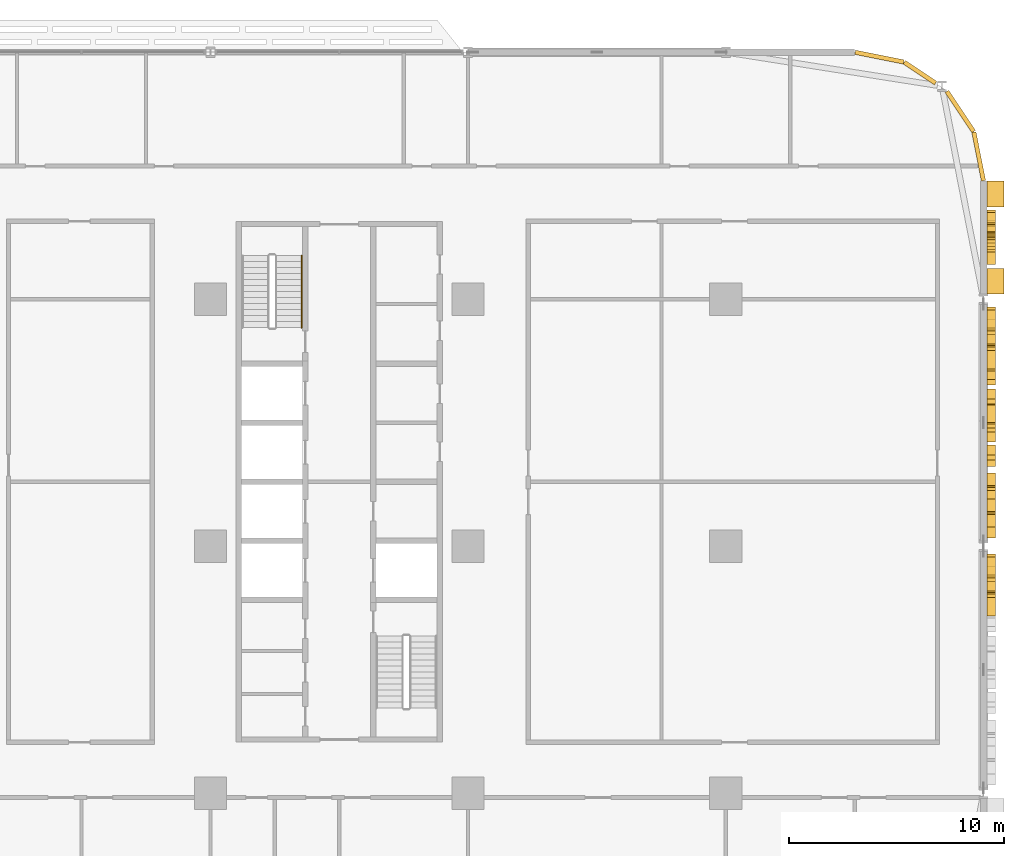
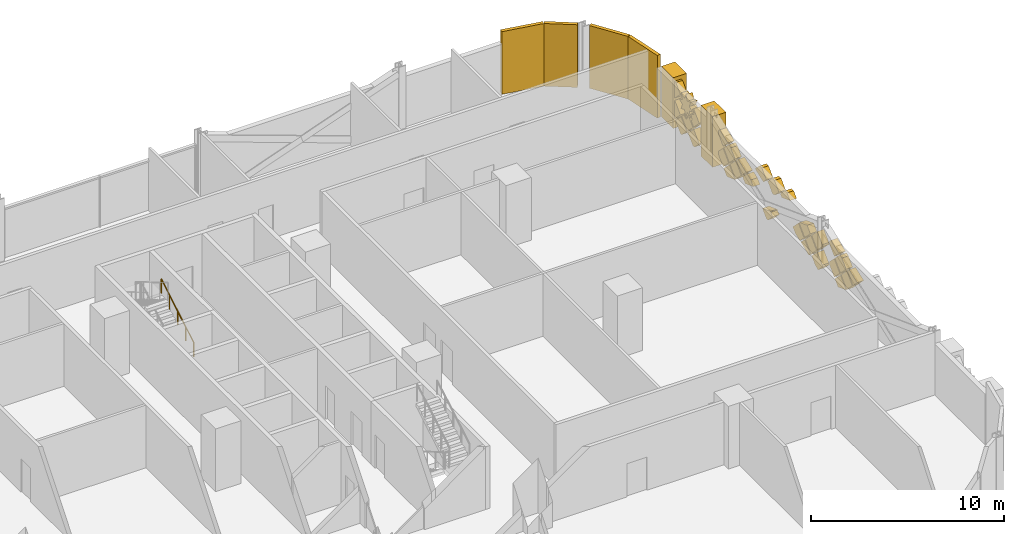
# One storey, part 29 of 29: 36 coverings, 1 railing.
"""IFC4 building model written with IfcOpenShell, lengths in metres."""

from ifc_helpers import new_model, si_unit, direction, frame, origin, origin_2d, place, context, subcontext, project, spatial, polyline, rectangle, circle, outline, extrude, material, layer, layer_set, type_object, element, save


model = new_model("IFC4")

# Units and contexts
model_context = context("Model", 3, precision=1e-05, world=origin(), true_north=direction((0.0, 1.0)))
body_context = subcontext(model_context, "Body", "Model", "MODEL_VIEW")
ifc_project = project(units=[si_unit("LENGTHUNIT", "METRE"), si_unit("AREAUNIT", "SQUARE_METRE"), si_unit("VOLUMEUNIT", "CUBIC_METRE"), si_unit("PLANEANGLEUNIT", "RADIAN"), si_unit("MASSUNIT", "GRAM", prefix="KILO")], contexts=[model_context])

# Site, building, storey
site_placement = place(None, origin())
site = spatial("IfcSite", under=ifc_project, at=site_placement, CompositionType="ELEMENT")
building_placement = place(site_placement, origin())
building = spatial("IfcBuilding", under=site, at=building_placement, Name="Mahtab Terrace Research Tower", CompositionType="ELEMENT")
storey_placement = place(building_placement, frame((0.0, 0.0, 54.60009765625)))
storey = spatial("IfcBuildingStorey", under=building, at=storey_placement, Name="L12", CompositionType="ELEMENT", Elevation=54.60009765625)

# Coverings
ifc_material_1 = material(Name="Black aluminium cladding panel", Category="aluminium")
ifc_layer_1 = layer(ifc_material_1, 0.199951171875)
ifc_layer_set_1 = layer_set([ifc_layer_1], Name="Black metal corner cladding 200")
covering_type_1 = type_object("IfcCoveringType", Name="Black metal corner cladding 200", PredefinedType="CLADDING", material=ifc_layer_set_1)
covering_1_placement = place(storey_placement, frame((52.911376953125, 20.2421875, 0.0), z_axis=(0.0, 0.0, 1.0), x_axis=(-0.555291490808, 0.831655794326, 0.0)))
element("IfcCovering", 1, at=covering_1_placement, inside=storey, type_object=covering_type_1, Name="Corner cladding L12 0", PredefinedType="CLADDING", context=body_context, shape_type="SweptSolid", body=[
    extrude(rectangle(XDim=2.235595703125, YDim=0.199951171875, at=origin_2d()), origin(), (0.0, 0.0, 1.0), 3.9599609375),
])
covering_2_placement = place(storey_placement, frame((51.0380859375, 22.047607421875, 0.0), z_axis=(0.0, 0.0, 1.0), x_axis=(-0.831655794326, 0.555291490808, 0.0)))
element("IfcCovering", 2, at=covering_2_placement, inside=storey, type_object=covering_type_1, Name="Corner cladding L12 1", PredefinedType="CLADDING", context=body_context, shape_type="SweptSolid", body=[
    extrude(rectangle(XDim=1.74462890625, YDim=0.199951171875, at=origin_2d()), origin(), (0.0, 0.0, 1.0), 3.9599609375),
])
for number, where, z_axis, x_axis, name in (
    (3, (49.14794921875, 22.771484375, 0.0), (0.0, 0.0, 1.0), (-0.980760981187, 0.195212442692, 0.0), "Corner cladding L12 2"),
    (4, (53.771484375, 18.14794921875, 0.0), (0.0, 0.0, 1.0), (-0.195212442692, 0.980760981187, 0.0), "Corner cladding L12 39"),
):
    element("IfcCovering", number, at=place(storey_placement, frame(where, z_axis=z_axis, x_axis=x_axis)), inside=storey, type_object=covering_type_1, Name=name, PredefinedType="CLADDING", context=body_context, shape_type="SweptSolid", body=[
        extrude(rectangle(XDim=2.30126953125, YDim=0.199951171875, at=origin_2d()), origin(), (0.0, 0.0, 1.0), 3.9599609375),
    ])
ifc_material_2 = material(Name="Bronze anodised aluminium", Category="aluminium")
ifc_layer_2 = layer(ifc_material_2, 0.39990234375)
ifc_layer_set_2 = layer_set([ifc_layer_2], Name="Mashrabiya relief panel 400")
covering_type_2 = type_object("IfcCoveringType", Name="Mashrabiya relief panel 400", PredefinedType="CLADDING", material=ifc_layer_set_2)
covering_3_placement = place(storey_placement, frame((54.14990234375, -2.23193359375, 1.949951171875), z_axis=(-1.0, 0.0, 0.0), x_axis=(0.0, -0.707106781187, -0.707106781187)))
element("IfcCovering", 5, at=covering_3_placement, inside=storey, type_object=covering_type_2, Name="Mashrabiya lattice cell L12 E36.12", PredefinedType="CLADDING", context=body_context, shape_type="SweptSolid", body=[
    extrude(outline(polyline([(0.0, 0.0), (0.8203543516109556, 0.0), (0.8203543516109555, 0.6024908853371707), (0.00017263349150062335, 0.22908464322132535), (0.0, 0.0)])), origin(), (0.0, 0.0, -1.0), 0.39990234375),
])
covering_4_placement = place(storey_placement, frame((54.14990234375, -2.162109375, 1.8798828125), z_axis=(-1.0, 0.0, 0.0), x_axis=(0.0, 0.707106781187, -0.707106781187)))
element("IfcCovering", 6, at=covering_4_placement, inside=storey, type_object=covering_type_2, Name="Mashrabiya lattice cell L12 E36.13", PredefinedType="CLADDING", context=body_context, shape_type="SweptSolid", body=[
    extrude(outline(polyline([(0.0, 0.0), (0.8203543516109556, 0.0), (0.820181718119455, 0.820181718119455), (0.0001726334915006511, 0.820181718119455), (0.0, 0.0)])), origin(), (0.0, 0.0, -1.0), 0.39990234375),
])
covering_5_placement = place(storey_placement, frame((54.14990234375, -2.092041015625, 0.64990234375), z_axis=(-1.0, 0.0, 0.0), x_axis=(0.0, 0.707106781187, 0.707106781187)))
element("IfcCovering", 7, at=covering_5_placement, inside=storey, type_object=covering_type_2, Name="Mashrabiya lattice cell L12 E36.14", PredefinedType="CLADDING", context=body_context, shape_type="SweptSolid", body=[
    extrude(outline(polyline([(0.0, 0.0), (0.8203543516109556, 0.0), (0.8203543516109556, 0.8203543516109556), (0.3620124316768042, 0.820181718119455), (0.0, 0.026930824674097027), (0.0, 0.0)])), origin(), (0.0, 0.0, -1.0), 0.39990234375),
])
covering_6_placement = place(storey_placement, frame((54.14990234375, -0.931884765625, 1.949951171875), z_axis=(-1.0, 0.0, 0.0), x_axis=(0.0, -0.707106781187, -0.707106781187)))
element("IfcCovering", 8, at=covering_6_placement, inside=storey, type_object=covering_type_2, Name="Mashrabiya lattice cell L12 E36.15", PredefinedType="CLADDING", context=body_context, shape_type="SweptSolid", body=[
    extrude(outline(polyline([(0.0, 0.0), (0.8203543516109556, 0.0), (0.8203543516109556, 0.8203543516109556), (0.19956431617471904, 0.8203543516109556), (0.0001726334915005956, 0.729721768573129), (0.0, 0.0)])), origin(), (0.0, 0.0, -1.0), 0.39990234375),
])
covering_7_placement = place(storey_placement, frame((54.14990234375, -0.862060546875, 0.719970703125), z_axis=(-1.0, 0.0, 0.0), x_axis=(0.0, -0.707106781187, 0.707106781187)))
element("IfcCovering", 9, at=covering_7_placement, inside=storey, type_object=covering_type_2, Name="Mashrabiya lattice cell L12 E36.16", PredefinedType="CLADDING", context=body_context, shape_type="SweptSolid", body=[
    extrude(outline(polyline([(0.0, 0.0), (0.8200090846279543, 0.0), (0.820181718119455, 0.820181718119455), (0.12861195116796337, 0.8201817181194551), (0.0, 0.6915697669514916), (0.0, 0.0)])), origin(), (0.0, 0.0, -1.0), 0.39990234375),
])
covering_8_placement = place(storey_placement, frame((54.14990234375, -0.862060546875, 2.02001953125), z_axis=(-1.0, 0.0, 0.0), x_axis=(0.0, -0.707106781187, 0.707106781187)))
element("IfcCovering", 10, at=covering_8_placement, inside=storey, type_object=covering_type_2, Name="Mashrabiya lattice cell L12 E36.17", PredefinedType="CLADDING", context=body_context, shape_type="SweptSolid", body=[
    extrude(outline(polyline([(0.0, 0.0), (0.6843191603084655, 0.0), (0.30953185026061514, 0.820181718119455), (0.12861195116796337, 0.8201817181194551), (-0.0001726334915006511, 0.691397133459991), (0.0, 0.0)])), origin(), (0.0, 0.0, -1.0), 0.39990234375),
])
covering_9_placement = place(storey_placement, frame((54.14990234375, 0.373046875, 0.5849609375), z_axis=(-1.0, 0.0, 0.0), x_axis=(0.0, 0.0, 1.0)))
element("IfcCovering", 11, at=covering_9_placement, inside=storey, type_object=covering_type_2, Name="Mashrabiya lattice cell L12 E37.1", PredefinedType="CLADDING", context=body_context, shape_type="SweptSolid", body=[
    extrude(outline(polyline([(0.0, 0.0), (0.1298828125, 0.0), (0.64501953125, 0.514892578125), (0.06494140625, 1.094970703125), (-0.326171875, 0.703857421875), (-0.428955078125, 0.428955078125), (0.0, 0.0)])), origin(), (0.0, 0.0, -1.0), 0.39990234375),
])
covering_10_placement = place(storey_placement, frame((54.14990234375, 0.887939453125, 2.52978515625), z_axis=(-1.0, 0.0, 0.0), x_axis=(0.0, 0.707255598772, -0.706957932274)))
element("IfcCovering", 12, at=covering_10_placement, inside=storey, type_object=covering_type_2, Name="Mashrabiya lattice cell L12 E37.2", PredefinedType="CLADDING", context=body_context, shape_type="SweptSolid", body=[
    extrude(outline(polyline([(0.0, 0.0), (0.8201817362875763, 0.0), (0.8200090664636573, 0.8203543334390104), (0.0916684182924955, 0.820028397344618), (-0.0001532662704735177, 0.7281680510197277), (0.0, 0.0)])), origin(), (0.0, 0.0, -1.0), 0.39990234375),
])
covering_11_placement = place(storey_placement, frame((54.14990234375, 1.5380859375, 1.8798828125), z_axis=(-1.0, 0.0, 0.0), x_axis=(0.0, 0.706957932274, -0.707255598772)))
element("IfcCovering", 13, at=covering_11_placement, inside=storey, type_object=covering_type_2, Name="Mashrabiya lattice cell L12 E37.3", PredefinedType="CLADDING", context=body_context, shape_type="SweptSolid", body=[
    extrude(outline(polyline([(0.0, 0.0), (0.8201817362875763, 0.0), (0.8203543334390104, 0.8200090664636573), (0.00017266982391900276, 0.8203543334390104), (0.0, 0.0)])), origin(), (0.0, 0.0, -1.0), 0.39990234375),
])
covering_12_placement = place(storey_placement, frame((54.14990234375, 1.60791015625, 0.64990234375), z_axis=(-1.0, 0.0, 0.0), x_axis=(0.0, 0.707106781187, 0.707106781187)))
element("IfcCovering", 14, at=covering_12_placement, inside=storey, type_object=covering_type_2, Name="Mashrabiya lattice cell L12 E37.4", PredefinedType="CLADDING", context=body_context, shape_type="SweptSolid", body=[
    extrude(outline(polyline([(0.0, 0.0), (0.8203543516109556, 0.0), (0.8203543516109556, 0.5714168568670587), (0.00017263349150062335, 0.1980106147512134), (0.0, 0.0)])), origin(), (0.0, 0.0, -1.0), 0.39990234375),
])
covering_13_placement = place(storey_placement, frame((54.14990234375, 2.76806640625, 1.949951171875), z_axis=(-1.0, 0.0, 0.0), x_axis=(0.0, -0.707106781187, -0.707106781187)))
element("IfcCovering", 15, at=covering_13_placement, inside=storey, type_object=covering_type_2, Name="Mashrabiya lattice cell L12 E37.5", PredefinedType="CLADDING", context=body_context, shape_type="SweptSolid", body=[
    extrude(outline(polyline([(0.0, 0.0), (0.8203543516109556, 0.0), (0.8203543516109556, 0.8203543516109556), (0.35079125472926387, 0.8203543516109556), (0.00017263349150062335, 0.049545812060678505), (0.0, 0.0)])), origin(), (0.0, 0.0, -1.0), 0.39990234375),
])
covering_14_placement = place(storey_placement, frame((54.14990234375, 2.258056640625, 1.2998046875), z_axis=(-1.0, 0.0, 0.0), x_axis=(0.0, 0.706957932274, 0.707255598772)))
element("IfcCovering", 16, at=covering_14_placement, inside=storey, type_object=covering_type_2, Name="Mashrabiya lattice cell L12 E37.6", PredefinedType="CLADDING", context=body_context, shape_type="SweptSolid", body=[
    extrude(outline(polyline([(0.0, 0.0), (0.8201817362875763, 0.0), (0.8200090664636573, 0.8203543334390104), (0.44539439820552335, 0.8202754837929869), (4.28767660404783e-05, 0.6164742208292362), (0.0, 0.0)])), origin(), (0.0, 0.0, -1.0), 0.39990234375),
])
covering_15_placement = place(storey_placement, frame((54.14990234375, 4.718017578125, 2.599853515625), z_axis=(-1.0, 0.0, 0.0), x_axis=(0.0, -0.707678180326, -0.706534919937)))
element("IfcCovering", 17, at=covering_15_placement, inside=storey, type_object=covering_type_2, Name="Mashrabiya lattice cell L12 E37.7", PredefinedType="CLADDING", context=body_context, shape_type="SweptSolid", body=[
    extrude(outline(polyline([(0.0, 0.0), (0.21354769876535717, -1.3877787807814457e-17), (0.5889979271315305, 0.8198784693660839), (0.15914067375567065, 0.8202259691667111), (0.0005350659580741768, 0.6618765901377699), (0.0, 0.0)])), origin(), (0.0, 0.0, -1.0), 0.39990234375),
])
covering_16_placement = place(storey_placement, frame((54.14990234375, 4.85791015625, 2.599853515625), z_axis=(-1.0, 0.0, 0.0), x_axis=(0.0, 0.707106781187, 0.707106781187)))
element("IfcCovering", 18, at=covering_16_placement, inside=storey, type_object=covering_type_2, Name="Mashrabiya lattice cell L12 E37.8", PredefinedType="CLADDING", context=body_context, shape_type="SweptSolid", body=[
    extrude(outline(polyline([(0.0, 0.0), (0.6618768064133846, 0.0), (0.8203543516109556, 0.15847754519757096), (0.8203543516109556, 0.8203543516109556), (0.1061695972728825, 0.8201817181194551), (0.0, 0.5883349390341197), (0.0, 0.0)])), origin(), (0.0, 0.0, -1.0), 0.39990234375),
])
covering_17_placement = place(storey_placement, frame((54.14990234375, 5.508056640625, 0.64990234375), z_axis=(-1.0, 0.0, 0.0), x_axis=(0.0, 0.707106781187, 0.707106781187)))
element("IfcCovering", 19, at=covering_17_placement, inside=storey, type_object=covering_type_2, Name="Mashrabiya lattice cell L12 E37.9", PredefinedType="CLADDING", context=body_context, shape_type="SweptSolid", body=[
    extrude(outline(polyline([(0.0, 0.0), (0.2630934410469479, 0.0), (0.3174729908696438, 0.024686589284588945), (0.6801759565124506, 0.8203543516109555), (0.0920136509698315, 0.820181718119455), (0.0, 0.7281680671496235), (0.0, 0.0)])), origin(), (0.0, 0.0, -1.0), 0.39990234375),
])
covering_18_placement = place(storey_placement, frame((54.14990234375, 6.157958984375, 2.599853515625), z_axis=(-1.0, 0.0, 0.0), x_axis=(0.0, 0.707106781187, 0.707106781187)))
element("IfcCovering", 20, at=covering_18_placement, inside=storey, type_object=covering_type_2, Name="Mashrabiya lattice cell L12 E37.10", PredefinedType="CLADDING", context=body_context, shape_type="SweptSolid", body=[
    extrude(outline(polyline([(0.0, 0.0), (0.6618768064133846, 0.0), (0.8203543516109556, 0.15847754519757096), (0.8203543516109556, 0.8203543516109556), (0.0, 0.4540260826466358), (0.0, 0.0)])), origin(), (0.0, 0.0, -1.0), 0.39990234375),
])
covering_19_placement = place(storey_placement, frame((54.14990234375, 8.617919921875, 1.2998046875), z_axis=(-1.0, 0.0, 0.0), x_axis=(0.0, -0.707106781187, -0.707106781187)))
element("IfcCovering", 21, at=covering_19_placement, inside=storey, type_object=covering_type_2, Name="Mashrabiya lattice cell L12 E37.11", PredefinedType="CLADDING", context=body_context, shape_type="SweptSolid", body=[
    extrude(outline(polyline([(0.0, 0.0), (0.37737681242035964, 0.0), (0.750783054536205, 0.820181718119455), (0.3789305138438653, 0.8201817181194551), (0.0, 0.6477208601103336), (0.0, 0.0)])), origin(), (0.0, 0.0, -1.0), 0.39990234375),
])
covering_20_placement = place(storey_placement, frame((54.14990234375, 9.26806640625, 1.949951171875), z_axis=(-1.0, 0.0, 0.0), x_axis=(0.0, -0.707106781187, -0.707106781187)))
element("IfcCovering", 22, at=covering_20_placement, inside=storey, type_object=covering_type_2, Name="Mashrabiya lattice cell L12 E37.12", PredefinedType="CLADDING", context=body_context, shape_type="SweptSolid", body=[
    extrude(outline(polyline([(0.0, 0.0), (0.8203543516109556, 0.0), (0.8203543516109555, 0.6024908853371707), (0.00017263349150062335, 0.22908464322132535), (0.0, 0.0)])), origin(), (0.0, 0.0, -1.0), 0.39990234375),
])
covering_21_placement = place(storey_placement, frame((54.14990234375, 9.337890625, 1.8798828125), z_axis=(-1.0, 0.0, 0.0), x_axis=(0.0, 0.707106781187, -0.707106781187)))
element("IfcCovering", 23, at=covering_21_placement, inside=storey, type_object=covering_type_2, Name="Mashrabiya lattice cell L12 E37.13", PredefinedType="CLADDING", context=body_context, shape_type="SweptSolid", body=[
    extrude(outline(polyline([(0.0, 0.0), (0.8203543516109556, 0.0), (0.820181718119455, 0.820181718119455), (0.0001726334915006511, 0.820181718119455), (0.0, 0.0)])), origin(), (0.0, 0.0, -1.0), 0.39990234375),
])
covering_22_placement = place(storey_placement, frame((54.14990234375, 9.407958984375, 0.64990234375), z_axis=(-1.0, 0.0, 0.0), x_axis=(0.0, 0.707106781187, 0.707106781187)))
element("IfcCovering", 24, at=covering_22_placement, inside=storey, type_object=covering_type_2, Name="Mashrabiya lattice cell L12 E37.14", PredefinedType="CLADDING", context=body_context, shape_type="SweptSolid", body=[
    extrude(outline(polyline([(0.0, 0.0), (0.8203543516109556, 0.0), (0.8203543516109556, 0.8203543516109556), (0.3620124316768042, 0.820181718119455), (0.0, 0.026930824674097027), (0.0, 0.0)])), origin(), (0.0, 0.0, -1.0), 0.39990234375),
])
covering_23_placement = place(storey_placement, frame((54.14990234375, 10.568115234375, 1.949951171875), z_axis=(-1.0, 0.0, 0.0), x_axis=(0.0, -0.707106781187, -0.707106781187)))
element("IfcCovering", 25, at=covering_23_placement, inside=storey, type_object=covering_type_2, Name="Mashrabiya lattice cell L12 E37.15", PredefinedType="CLADDING", context=body_context, shape_type="SweptSolid", body=[
    extrude(outline(polyline([(0.0, 0.0), (0.8203543516109556, 0.0), (0.8203543516109556, 0.8203543516109556), (0.19956431617471904, 0.8203543516109556), (0.0001726334915005956, 0.729721768573129), (0.0, 0.0)])), origin(), (0.0, 0.0, -1.0), 0.39990234375),
])
covering_24_placement = place(storey_placement, frame((54.14990234375, 10.637939453125, 0.719970703125), z_axis=(-1.0, 0.0, 0.0), x_axis=(0.0, -0.707106781187, 0.707106781187)))
element("IfcCovering", 26, at=covering_24_placement, inside=storey, type_object=covering_type_2, Name="Mashrabiya lattice cell L12 E37.16", PredefinedType="CLADDING", context=body_context, shape_type="SweptSolid", body=[
    extrude(outline(polyline([(0.0, 0.0), (0.8200090846279543, 0.0), (0.820181718119455, 0.820181718119455), (0.12861195116796337, 0.8201817181194551), (0.0, 0.6915697669514916), (0.0, 0.0)])), origin(), (0.0, 0.0, -1.0), 0.39990234375),
])
covering_25_placement = place(storey_placement, frame((54.14990234375, 10.637939453125, 2.02001953125), z_axis=(-1.0, 0.0, 0.0), x_axis=(0.0, -0.707106781187, 0.707106781187)))
element("IfcCovering", 27, at=covering_25_placement, inside=storey, type_object=covering_type_2, Name="Mashrabiya lattice cell L12 E37.17", PredefinedType="CLADDING", context=body_context, shape_type="SweptSolid", body=[
    extrude(outline(polyline([(0.0, 0.0), (0.6843191603084655, 0.0), (0.30953185026061514, 0.820181718119455), (0.12861195116796337, 0.8201817181194551), (-0.0001726334915006511, 0.691397133459991), (0.0, 0.0)])), origin(), (0.0, 0.0, -1.0), 0.39990234375),
])
covering_26_placement = place(storey_placement, frame((54.14990234375, 14.633056640625, 2.600830078125), z_axis=(-1.0, 0.0, 0.0), x_axis=(0.0, 0.924691461768, 0.380717349925)))
element("IfcCovering", 28, at=covering_26_placement, inside=storey, type_object=covering_type_2, Name="Girih star panel L12 E38.1", PredefinedType="CLADDING", context=body_context, shape_type="SweptSolid", body=[
    extrude(outline(polyline([(0.0, 0.0), (0.3783462161056796, 2.7755575615628914e-17), (0.11218136419552407, 0.26875985000170766), (0.37957345233280393, 0.5356816813818673), (0.0017584609457203249, 0.5369564946745361), (0.0014397576225531616, 0.9154355169598647), (-0.26722714380739543, 0.6490449102983011), (-0.5342419237593141, 0.9166627531869891), (-0.5354237884802239, 0.5386220070484974), (-0.9139957593373116, 0.5385290584767383), (-0.6475122041039889, 0.26963640229538155), (-0.9149042922412687, 0.0027145709152219255), (-0.5370893008541852, 0.0014397576225531339), (-0.537089300854185, -0.3769064584831264), (-0.26819664467282844, -0.11042290324980375), (-0.0011818647209096977, -0.37804074613849165), (0.0, 0.0)])), origin(), (0.0, 0.0, -1.0), 0.39990234375),
])
covering_27_placement = place(storey_placement, frame((54.14990234375, 13.10791015625, 0.64990234375), z_axis=(-1.0, 0.0, 0.0), x_axis=(0.0, 0.707106781187, 0.707106781187)))
element("IfcCovering", 29, at=covering_27_placement, inside=storey, type_object=covering_type_2, Name="Mashrabiya lattice cell L12 E38.2", PredefinedType="CLADDING", context=body_context, shape_type="SweptSolid", body=[
    extrude(outline(polyline([(0.0, 0.0), (0.8203543516109556, 0.0), (0.8203543516109556, 0.8203543516109556), (0.0920136509698315, 0.820181718119455), (0.0001726334915005956, 0.728340700641124), (0.0, 0.0)])), origin(), (0.0, 0.0, -1.0), 0.39990234375),
])
covering_28_placement = place(storey_placement, frame((54.14990234375, 13.68798828125, 1.369873046875), z_axis=(-1.0, 0.0, 0.0), x_axis=(0.0, -0.707106781187, 0.707106781187)))
element("IfcCovering", 30, at=covering_28_placement, inside=storey, type_object=covering_type_2, Name="Mashrabiya lattice cell L12 E38.3", PredefinedType="CLADDING", context=body_context, shape_type="SweptSolid", body=[
    extrude(outline(polyline([(0.0, 0.0), (0.8203543516109556, 0.0), (0.820181718119455, 0.820181718119455), (0.6449587242463236, 0.8203543516109556), (0.683628626342463, 0.7205721935235961), (0.6831107258679611, 0.6648115757688952), (0.6484113940763361, 0.5990382155071583), (0.5890254730001222, 0.5634757162580301), (0.5104772343673392, 0.5643388837155332), (0.2751777854519914, 0.661186272447382), (0.1534711739440529, 0.3937769941129187), (0.08131037449679296, 0.35579762598278186), (0.0, 0.3649472010323148), (0.0, 0.0)])), origin(), (0.0, 0.0, -1.0), 0.39990234375),
])
covering_29_placement = place(storey_placement, frame((54.14990234375, 14.91796875, 1.2998046875), z_axis=(-1.0, 0.0, 0.0), x_axis=(0.0, -0.707255598772, -0.706957932274)))
element("IfcCovering", 31, at=covering_29_placement, inside=storey, type_object=covering_type_2, Name="Mashrabiya lattice cell L12 E38.4", PredefinedType="CLADDING", context=body_context, shape_type="SweptSolid", body=[
    extrude(outline(polyline([(0.0, 0.0), (0.8201817362875763, 0.0), (0.8203543334390104, 0.8200090664636573), (0.3098771467156666, 0.8202891462201319), (0.15915484924555162, 0.7573096447578092), (0.2561253066851346, 0.5218171465987493), (0.25870023816707766, 0.4525905729968129), (0.22415966018716627, 0.38665184795284857), (0.16476632783297873, 0.3514471161342186), (0.09968288526279491, 0.34852604560710454), (-9.105862347241755e-05, 0.3875622161701183), (0.0, 0.0)])), origin(), (0.0, 0.0, -1.0), 0.39990234375),
])
covering_30_placement = place(storey_placement, frame((54.14990234375, 14.407958984375, 0.64990234375), z_axis=(-1.0, 0.0, 0.0), x_axis=(0.0, 0.707106781187, 0.707106781187)))
element("IfcCovering", 32, at=covering_30_placement, inside=storey, type_object=covering_type_2, Name="Mashrabiya lattice cell L12 E38.5", PredefinedType="CLADDING", context=body_context, shape_type="SweptSolid", body=[
    extrude(outline(polyline([(0.0, 0.0), (0.8203543516109556, 0.0), (0.8203543516109556, 0.8203543516109556), (0.0920136509698315, 0.820181718119455), (0.0001726334915005956, 0.728340700641124), (0.0, 0.0)])), origin(), (0.0, 0.0, -1.0), 0.39990234375),
])
covering_31_placement = place(storey_placement, frame((54.14990234375, 15.637939453125, 0.719970703125), z_axis=(-1.0, 0.0, 0.0), x_axis=(0.0, -0.707106781187, 0.707106781187)))
element("IfcCovering", 33, at=covering_31_placement, inside=storey, type_object=covering_type_2, Name="Mashrabiya lattice cell L12 E38.6", PredefinedType="CLADDING", context=body_context, shape_type="SweptSolid", body=[
    extrude(outline(polyline([(0.0, 0.0), (0.8200090846279543, 0.0), (0.820181718119455, 0.820181718119455), (0.7818570830063168, 0.820181718119455), (-0.00017263349150062335, 0.038152001621637455), (0.0, 0.0)])), origin(), (0.0, 0.0, -1.0), 0.39990234375),
])
covering_32_placement = place(storey_placement, frame((54.14990234375, 15.637939453125, 2.02001953125), z_axis=(-1.0, 0.0, 0.0), x_axis=(0.0, -0.707257695018, 0.70695583514)))
element("IfcCovering", 34, at=covering_32_placement, inside=storey, type_object=covering_type_2, Name="Mashrabiya lattice cell L12 E38.7", PredefinedType="CLADDING", context=body_context, shape_type="SweptSolid", body=[
    extrude(outline(polyline([(0.0, 0.0), (0.808787926104479, 0.0), (0.8201759879757401, 0.026933256037176112), (0.8200404605547635, 0.6618792233124915), (0.7216183692070511, 0.7602593077923645), (-0.00018077692422814942, 0.038151963904411015), (0.0, 0.0)])), origin(), (0.0, 0.0, -1.0), 0.39990234375),
])
ifc_material_3 = material(Name="Glazed ceramic tile cladding", Category="masonry")
ifc_layer_3 = layer(ifc_material_3, 0.800048828125)
ifc_layer_set_3 = layer_set([ifc_layer_3], Name="Pishtaq frame pier 800")
covering_type_3 = type_object("IfcCoveringType", Name="Pishtaq frame pier 800", PredefinedType="CLADDING", material=ifc_layer_set_3)
for number, where, z_axis, x_axis, name in (
    (35, (54.550048828125, 12.337890625, 0.00048828125), (0.0, 0.0, 1.0), (0.0, 1.0, 0.0), "Pishtaq frame pier 38a"),
    (36, (54.550048828125, 16.39990234375, 0.00048828125), (0.0, 0.0, 1.0), (0.0, 1.0, 0.0), "Pishtaq frame pier 38b"),
):
    element("IfcCovering", number, at=place(storey_placement, frame(where, z_axis=z_axis, x_axis=x_axis)), inside=storey, type_object=covering_type_3, Name=name, PredefinedType="CLADDING", context=body_context, shape_type="SweptSolid", body=[
        extrude(rectangle(XDim=1.199951171875, YDim=0.800048828125, at=origin_2d()), origin(), (0.0, 0.0, 1.0), 3.202880859375),
    ])

# Railing
ifc_material_4 = material(Name="Stainless steel AISI 304", Category="steel")
railing_type = type_object("IfcRailingType", Name="Stair handrail 900", PredefinedType="HANDRAIL", material=ifc_material_4)
railing_placement = place(storey_placement, frame((22.25, 10.175048828125, 0.165283203125)))
element("IfcRailing", 37, at=railing_placement, inside=storey, type_object=railing_type, Name="L12 ST3 stair handrail 1", PredefinedType="HANDRAIL", context=body_context, shape_type="SweptSolid", body=[
    extrude(circle(Radius=0.02392578125, at=origin_2d()), frame((0.0, 0.0, 0.8759765625), z_axis=(0.0, 0.861011212953, 0.508585972249), x_axis=(-1.0, 0.0, 0.0)), (0.0, 0.0, 1.0), 3.90234375),
    extrude(circle(Radius=0.02099609375, at=origin_2d()), origin(), (0.0, 0.0, 1.0), 0.851806640625),
    extrude(circle(Radius=0.02099609375, at=origin_2d()), frame((0.0, 0.83984375, 0.49609375)), (0.0, 0.0, 1.0), 0.851806640625),
    extrude(circle(Radius=0.02099609375, at=origin_2d()), frame((0.0, 1.679931640625, 0.9921875)), (0.0, 0.0, 1.0), 0.851806640625),
    extrude(circle(Radius=0.02099609375, at=origin_2d()), frame((0.0, 2.52001953125, 1.488525390625)), (0.0, 0.0, 1.0), 0.851806640625),
    extrude(circle(Radius=0.02099609375, at=origin_2d()), frame((0.0, 3.35986328125, 1.984619140625)), (0.0, 0.0, 1.0), 0.851806640625),
])

save(model, "model.ifc")
